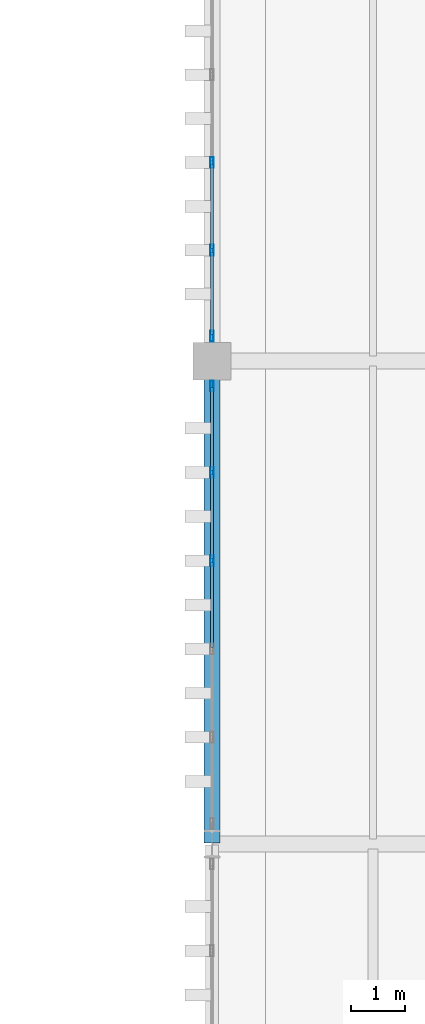
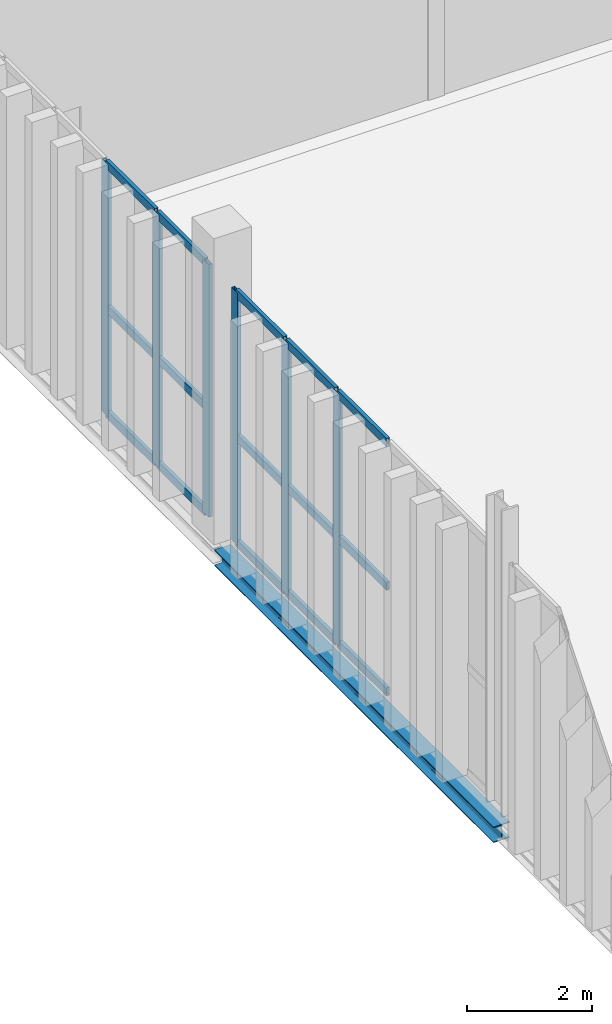
# One storey, part 58 of 211: 21 members, 1 beam, 2 elements without a shape of their own.
"""IFC4 building model written with IfcOpenShell, lengths in metres."""

from ifc_helpers import new_model, si_unit, direction, frame, origin, origin_2d, place, context, subcontext, project, spatial, hollow_rectangle, i_section, extrude, material, layer, layer_set, material_profile, profile_set, type_object, element, aggregate, save


model = new_model("IFC4")

# Units and contexts
model_context = context("Model", 3, precision=1e-05, world=origin(), true_north=direction((0.0, 1.0)))
body_context = subcontext(model_context, "Body", "Model", "MODEL_VIEW")
ifc_project = project(units=[si_unit("LENGTHUNIT", "METRE"), si_unit("AREAUNIT", "SQUARE_METRE"), si_unit("VOLUMEUNIT", "CUBIC_METRE"), si_unit("PLANEANGLEUNIT", "RADIAN"), si_unit("MASSUNIT", "GRAM", prefix="KILO")], contexts=[model_context])

# Site, building, storey
site_placement = place(None, origin())
site = spatial("IfcSite", under=ifc_project, at=site_placement, CompositionType="ELEMENT")
building_placement = place(site_placement, origin())
building = spatial("IfcBuilding", under=site, at=building_placement, Name="Barlavento Convention Centre", CompositionType="ELEMENT")
storey_placement = place(building_placement, frame((0.0, 0.0, 6.0)))
storey = spatial("IfcBuildingStorey", under=building, at=storey_placement, Name="L01", CompositionType="ELEMENT", Elevation=6.0)

# Curtain wall, members
ifc_material_1 = material(Name="Powder-coated aluminium and Low-E glass", Category="aluminium")
ifc_layer = layer(ifc_material_1, 0.18994140625)
ifc_layer_set = layer_set([ifc_layer], Name="ARC-CW-BALL-L01")
curtain_wall_type = type_object("IfcCurtainWallType", Name="ARC-CW-BALL-L01", PredefinedType="NOTDEFINED", material=ifc_layer_set)
curtain_wall_1_placement = place(storey_placement, origin())
curtain_wall_1 = element("IfcCurtainWall", 1, at=curtain_wall_1_placement, inside=storey, type_object=curtain_wall_type, Name="L01 unitised curtain wall CW06", PredefinedType="NOTDEFINED")
ifc_material_2 = material(Name="Powder-coated aluminium", Category="aluminium")
ifc_material_profile_1 = material_profile(ifc_material_2, hollow_rectangle(XDim=0.06494140625, YDim=0.199951171875, WallThickness=0.0048828125, at=origin_2d()), Name="AL-MULL 65x200x5")
ifc_profile_set_1 = profile_set([ifc_material_profile_1], Name="Powder-coated aluminium")
member_type_1 = type_object("IfcMemberType", Name="ARC-CWM-65X200", PredefinedType="MULLION", material=ifc_profile_set_1)
member_1_placement = place(storey_placement, frame((126.0, 14.27880859375, 0.0), z_axis=(0.0, 0.0, 1.0), x_axis=(-1.0, 0.0, 0.0)))
member_1 = element("IfcMember", 2, at=member_1_placement, type_object=member_type_1, Name="CW06 mullion 4", PredefinedType="MULLION", context=body_context, shape_type="SweptSolid", body=[
    extrude(hollow_rectangle(XDim=0.06494140625, YDim=0.199951171875, WallThickness=0.0048828125, at=origin_2d()), origin(), (0.0, 0.0, 1.0), 4.949951171875),
])
member_2_placement = place(storey_placement, frame((126.0, 15.92431640625, 0.0), z_axis=(0.0, 0.0, 1.0), x_axis=(-1.0, 0.0, 0.0)))
member_2 = element("IfcMember", 3, at=member_2_placement, type_object=member_type_1, Name="CW06 mullion 5", PredefinedType="MULLION", context=body_context, shape_type="SweptSolid", body=[
    extrude(hollow_rectangle(XDim=0.06494140625, YDim=0.199951171875, WallThickness=0.0048828125, at=origin_2d()), origin(), (0.0, 0.0, 1.0), 4.949951171875),
])
member_3_placement = place(storey_placement, frame((126.0, 17.53759765625, 0.0), z_axis=(0.0, 0.0, 1.0), x_axis=(-1.0, 0.0, 0.0)))
member_3 = element("IfcMember", 4, at=member_3_placement, type_object=member_type_1, Name="CW06 mullion 6", PredefinedType="MULLION", context=body_context, shape_type="SweptSolid", body=[
    extrude(hollow_rectangle(XDim=0.06494140625, YDim=0.199951171875, WallThickness=0.0048828125, at=origin_2d()), origin(), (0.0, 0.0, 1.0), 4.949951171875),
])

curtain_wall_2_placement = place(storey_placement, origin())
curtain_wall_2 = element("IfcCurtainWall", 5, at=curtain_wall_2_placement, inside=storey, type_object=curtain_wall_type, Name="L01 unitised curtain wall CW06", PredefinedType="NOTDEFINED")
member_4_placement = place(storey_placement, frame((126.0, 18.46240234375, 0.0), z_axis=(0.0, 0.0, 1.0), x_axis=(-1.0, 0.0, 0.0)))
member_4 = element("IfcMember", 6, at=member_4_placement, type_object=member_type_1, Name="CW06 mullion 1", PredefinedType="MULLION", context=body_context, shape_type="SweptSolid", body=[
    extrude(hollow_rectangle(XDim=0.06494140625, YDim=0.199951171875, WallThickness=0.0048828125, at=origin_2d()), origin(), (0.0, 0.0, 1.0), 4.949951171875),
])
member_5_placement = place(storey_placement, frame((126.0, 20.06591796875, 0.0), z_axis=(0.0, 0.0, 1.0), x_axis=(-1.0, 0.0, 0.0)))
member_5 = element("IfcMember", 7, at=member_5_placement, type_object=member_type_1, Name="CW06 mullion 2", PredefinedType="MULLION", context=body_context, shape_type="SweptSolid", body=[
    extrude(hollow_rectangle(XDim=0.06494140625, YDim=0.199951171875, WallThickness=0.0048828125, at=origin_2d()), origin(), (0.0, 0.0, 1.0), 4.949951171875),
])
member_6_placement = place(storey_placement, frame((126.0, 21.701904296875, 0.0), z_axis=(0.0, 0.0, 1.0), x_axis=(-1.0, 0.0, 0.0)))
member_6 = element("IfcMember", 8, at=member_6_placement, type_object=member_type_1, Name="CW06 mullion 3", PredefinedType="MULLION", context=body_context, shape_type="SweptSolid", body=[
    extrude(hollow_rectangle(XDim=0.06494140625, YDim=0.199951171875, WallThickness=0.0048828125, at=origin_2d()), origin(), (0.0, 0.0, 1.0), 4.949951171875),
])

# Member
ifc_material_profile_2 = material_profile(ifc_material_2, hollow_rectangle(XDim=0.06494140625, YDim=0.159912109375, WallThickness=0.0048828125, at=origin_2d()), Name="AL-TRAN 65x160x5")
ifc_profile_set_2 = profile_set([ifc_material_profile_2], Name="Powder-coated aluminium")
member_type_2 = type_object("IfcMemberType", Name="ARC-CWT-65X160", PredefinedType="USERDEFINED", material=ifc_profile_set_2)
member_7_placement = place(storey_placement, frame((126.0, 12.665771484375, 0.032470703125), z_axis=(0.0, 1.0, 0.0), x_axis=(-1.0, 0.0, 0.0)))
member_7 = element("IfcMember", 9, at=member_7_placement, type_object=member_type_2, Name="CW06 transom 3.1", ObjectType="TRANSOM", PredefinedType="USERDEFINED", context=body_context, shape_type="SweptSolid", body=[
    extrude(hollow_rectangle(XDim=0.06494140625, YDim=0.159912109375, WallThickness=0.0048828125, at=origin_2d()), origin(), (0.0, 0.0, 1.0), 1.58056640625),
])

member_8_placement = place(storey_placement, frame((126.0, 12.665771484375, 2.10009765625), z_axis=(0.0, 1.0, 0.0), x_axis=(-1.0, 0.0, 0.0)))
member_8 = element("IfcMember", 10, at=member_8_placement, type_object=member_type_2, Name="CW06 transom 3.2", ObjectType="TRANSOM", PredefinedType="USERDEFINED", context=body_context, shape_type="SweptSolid", body=[
    extrude(hollow_rectangle(XDim=0.06494140625, YDim=0.159912109375, WallThickness=0.0048828125, at=origin_2d()), origin(), (0.0, 0.0, 1.0), 1.58056640625),
])

member_9_placement = place(storey_placement, frame((126.0, 12.665771484375, 4.91748046875), z_axis=(0.0, 1.0, 0.0), x_axis=(-1.0, 0.0, 0.0)))
member_9 = element("IfcMember", 11, at=member_9_placement, type_object=member_type_2, Name="CW06 transom 3.3", ObjectType="TRANSOM", PredefinedType="USERDEFINED", context=body_context, shape_type="SweptSolid", body=[
    extrude(hollow_rectangle(XDim=0.06494140625, YDim=0.159912109375, WallThickness=0.0048828125, at=origin_2d()), origin(), (0.0, 0.0, 1.0), 1.58056640625),
])

member_10_placement = place(storey_placement, frame((126.0, 14.311279296875, 0.032470703125), z_axis=(0.0, 1.0, 0.0), x_axis=(-1.0, 0.0, 0.0)))
member_10 = element("IfcMember", 12, at=member_10_placement, type_object=member_type_2, Name="CW06 transom 4.1", ObjectType="TRANSOM", PredefinedType="USERDEFINED", context=body_context, shape_type="SweptSolid", body=[
    extrude(hollow_rectangle(XDim=0.06494140625, YDim=0.159912109375, WallThickness=0.0048828125, at=origin_2d()), origin(), (0.0, 0.0, 1.0), 1.58056640625),
])

member_11_placement = place(storey_placement, frame((126.0, 14.311279296875, 2.10009765625), z_axis=(0.0, 1.0, 0.0), x_axis=(-1.0, 0.0, 0.0)))
member_11 = element("IfcMember", 13, at=member_11_placement, type_object=member_type_2, Name="CW06 transom 4.2", ObjectType="TRANSOM", PredefinedType="USERDEFINED", context=body_context, shape_type="SweptSolid", body=[
    extrude(hollow_rectangle(XDim=0.06494140625, YDim=0.159912109375, WallThickness=0.0048828125, at=origin_2d()), origin(), (0.0, 0.0, 1.0), 1.58056640625),
])

member_12_placement = place(storey_placement, frame((126.0, 14.311279296875, 4.91748046875), z_axis=(0.0, 1.0, 0.0), x_axis=(-1.0, 0.0, 0.0)))
member_12 = element("IfcMember", 14, at=member_12_placement, type_object=member_type_2, Name="CW06 transom 4.3", ObjectType="TRANSOM", PredefinedType="USERDEFINED", context=body_context, shape_type="SweptSolid", body=[
    extrude(hollow_rectangle(XDim=0.06494140625, YDim=0.159912109375, WallThickness=0.0048828125, at=origin_2d()), origin(), (0.0, 0.0, 1.0), 1.58056640625),
])

member_13_placement = place(storey_placement, frame((126.0, 15.956787109375, 0.032470703125), z_axis=(0.0, 1.0, 0.0), x_axis=(-1.0, 0.0, 0.0)))
member_13 = element("IfcMember", 15, at=member_13_placement, type_object=member_type_2, Name="CW06 transom 5.1", ObjectType="TRANSOM", PredefinedType="USERDEFINED", context=body_context, shape_type="SweptSolid", body=[
    extrude(hollow_rectangle(XDim=0.06494140625, YDim=0.159912109375, WallThickness=0.0048828125, at=origin_2d()), origin(), (0.0, 0.0, 1.0), 1.548095703125),
])

member_14_placement = place(storey_placement, frame((126.0, 15.956787109375, 2.10009765625), z_axis=(0.0, 1.0, 0.0), x_axis=(-1.0, 0.0, 0.0)))
member_14 = element("IfcMember", 16, at=member_14_placement, type_object=member_type_2, Name="CW06 transom 5.2", ObjectType="TRANSOM", PredefinedType="USERDEFINED", context=body_context, shape_type="SweptSolid", body=[
    extrude(hollow_rectangle(XDim=0.06494140625, YDim=0.159912109375, WallThickness=0.0048828125, at=origin_2d()), origin(), (0.0, 0.0, 1.0), 1.548095703125),
])

member_15_placement = place(storey_placement, frame((126.0, 15.956787109375, 4.91748046875), z_axis=(0.0, 1.0, 0.0), x_axis=(-1.0, 0.0, 0.0)))
member_15 = element("IfcMember", 17, at=member_15_placement, type_object=member_type_2, Name="CW06 transom 5.3", ObjectType="TRANSOM", PredefinedType="USERDEFINED", context=body_context, shape_type="SweptSolid", body=[
    extrude(hollow_rectangle(XDim=0.06494140625, YDim=0.159912109375, WallThickness=0.0048828125, at=origin_2d()), origin(), (0.0, 0.0, 1.0), 1.548095703125),
])

aggregate(curtain_wall_1, [member_1, member_2, member_3, member_7, member_8, member_9, member_10, member_11, member_12, member_13, member_14, member_15])

member_16_placement = place(storey_placement, frame((126.0, 18.4951171875, 0.032470703125), z_axis=(0.0, 1.0, 0.0), x_axis=(-1.0, 0.0, 0.0)))
member_16 = element("IfcMember", 18, at=member_16_placement, type_object=member_type_2, Name="CW06 transom 1.1", ObjectType="TRANSOM", PredefinedType="USERDEFINED", context=body_context, shape_type="SweptSolid", body=[
    extrude(hollow_rectangle(XDim=0.06494140625, YDim=0.159912109375, WallThickness=0.0048828125, at=origin_2d()), origin(), (0.0, 0.0, 1.0), 1.538330078125),
])

member_17_placement = place(storey_placement, frame((126.0, 18.4951171875, 2.10009765625), z_axis=(0.0, 1.0, 0.0), x_axis=(-1.0, 0.0, 0.0)))
member_17 = element("IfcMember", 19, at=member_17_placement, type_object=member_type_2, Name="CW06 transom 1.2", ObjectType="TRANSOM", PredefinedType="USERDEFINED", context=body_context, shape_type="SweptSolid", body=[
    extrude(hollow_rectangle(XDim=0.06494140625, YDim=0.159912109375, WallThickness=0.0048828125, at=origin_2d()), origin(), (0.0, 0.0, 1.0), 1.538330078125),
])

member_18_placement = place(storey_placement, frame((126.0, 18.4951171875, 4.91748046875), z_axis=(0.0, 1.0, 0.0), x_axis=(-1.0, 0.0, 0.0)))
member_18 = element("IfcMember", 20, at=member_18_placement, type_object=member_type_2, Name="CW06 transom 1.3", ObjectType="TRANSOM", PredefinedType="USERDEFINED", context=body_context, shape_type="SweptSolid", body=[
    extrude(hollow_rectangle(XDim=0.06494140625, YDim=0.159912109375, WallThickness=0.0048828125, at=origin_2d()), origin(), (0.0, 0.0, 1.0), 1.538330078125),
])

member_19_placement = place(storey_placement, frame((126.0, 20.098388671875, 0.032470703125), z_axis=(0.0, 1.0, 0.0), x_axis=(-1.0, 0.0, 0.0)))
member_19 = element("IfcMember", 21, at=member_19_placement, type_object=member_type_2, Name="CW06 transom 2.1", ObjectType="TRANSOM", PredefinedType="USERDEFINED", context=body_context, shape_type="SweptSolid", body=[
    extrude(hollow_rectangle(XDim=0.06494140625, YDim=0.159912109375, WallThickness=0.0048828125, at=origin_2d()), origin(), (0.0, 0.0, 1.0), 1.571044921875),
])

member_20_placement = place(storey_placement, frame((126.0, 20.098388671875, 2.10009765625), z_axis=(0.0, 1.0, 0.0), x_axis=(-1.0, 0.0, 0.0)))
member_20 = element("IfcMember", 22, at=member_20_placement, type_object=member_type_2, Name="CW06 transom 2.2", ObjectType="TRANSOM", PredefinedType="USERDEFINED", context=body_context, shape_type="SweptSolid", body=[
    extrude(hollow_rectangle(XDim=0.06494140625, YDim=0.159912109375, WallThickness=0.0048828125, at=origin_2d()), origin(), (0.0, 0.0, 1.0), 1.571044921875),
])

member_21_placement = place(storey_placement, frame((126.0, 20.098388671875, 4.91748046875), z_axis=(0.0, 1.0, 0.0), x_axis=(-1.0, 0.0, 0.0)))
member_21 = element("IfcMember", 23, at=member_21_placement, type_object=member_type_2, Name="CW06 transom 2.3", ObjectType="TRANSOM", PredefinedType="USERDEFINED", context=body_context, shape_type="SweptSolid", body=[
    extrude(hollow_rectangle(XDim=0.06494140625, YDim=0.159912109375, WallThickness=0.0048828125, at=origin_2d()), origin(), (0.0, 0.0, 1.0), 1.571044921875),
])

aggregate(curtain_wall_2, [member_4, member_5, member_6, member_16, member_17, member_18, member_19, member_20, member_21])

# Beam
ifc_material_3 = material(Name="Steel S355", Category="steel")
ifc_material_profile_3 = material_profile(ifc_material_3, i_section(OverallWidth=0.300048828125, OverallDepth=0.31005859375, WebThickness=0.009033203125, FlangeThickness=0.015380859375, FilletRadius=0.027099609375, at=origin_2d()), Name="HEA 320")
ifc_profile_set_3 = profile_set([ifc_material_profile_3], Name="Steel S355")
beam_type = type_object("IfcBeamType", Name="STR-BM-SPN-HEA320", PredefinedType="SPANDREL", material=ifc_profile_set_3)
beam_placement = place(storey_placement, frame((126.0, 9.02001953125, -0.514892578125), z_axis=(0.0, 1.0, 0.0), x_axis=(-1.0, 0.0, 0.0)))
element("IfcBeam", 24, at=beam_placement, inside=storey, type_object=beam_type, Name="L01 grid girder SP01", PredefinedType="SPANDREL", context=body_context, shape_type="SweptSolid", body=[
    extrude(i_section(OverallWidth=0.300048828125, OverallDepth=0.31005859375, WebThickness=0.009033203125, FlangeThickness=0.015380859375, FilletRadius=0.027099609375, at=origin_2d()), origin(), (0.0, 0.0, 1.0), 8.9599609375),
])

save(model, "model.ifc")
